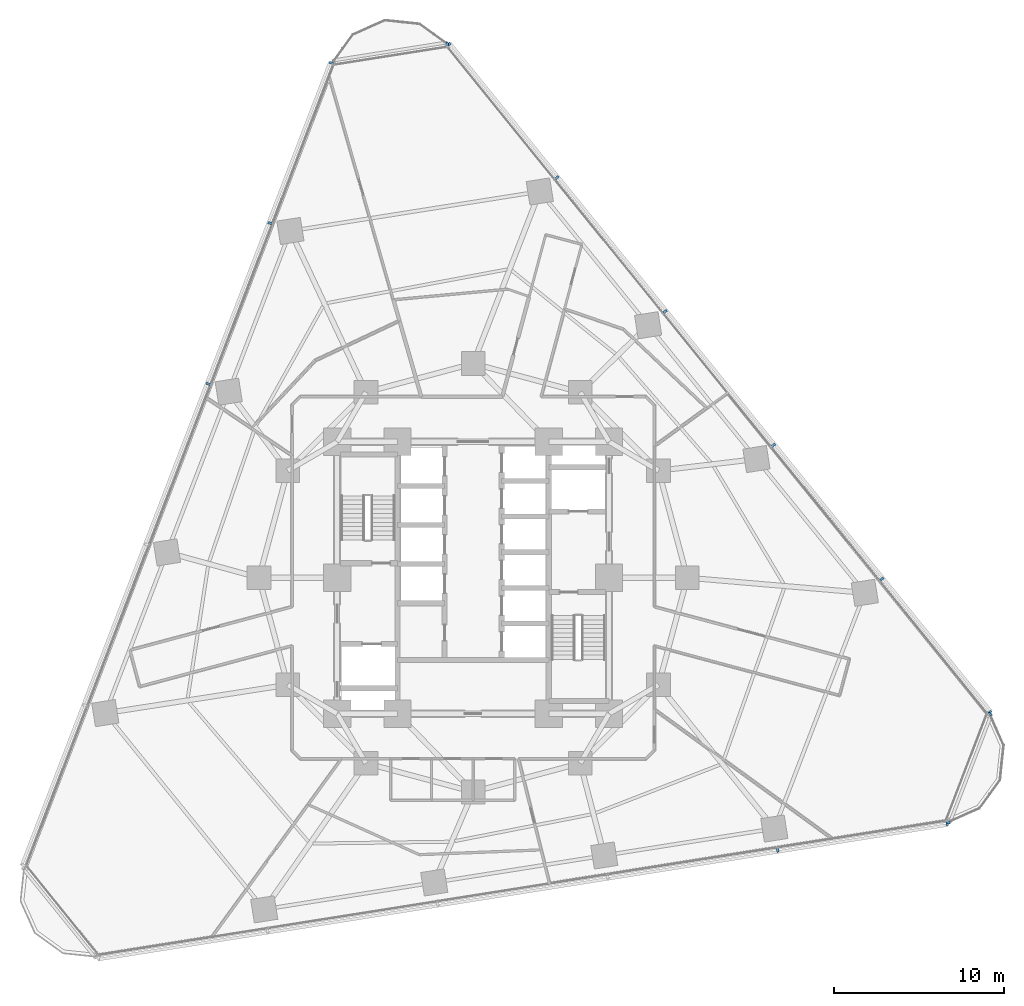
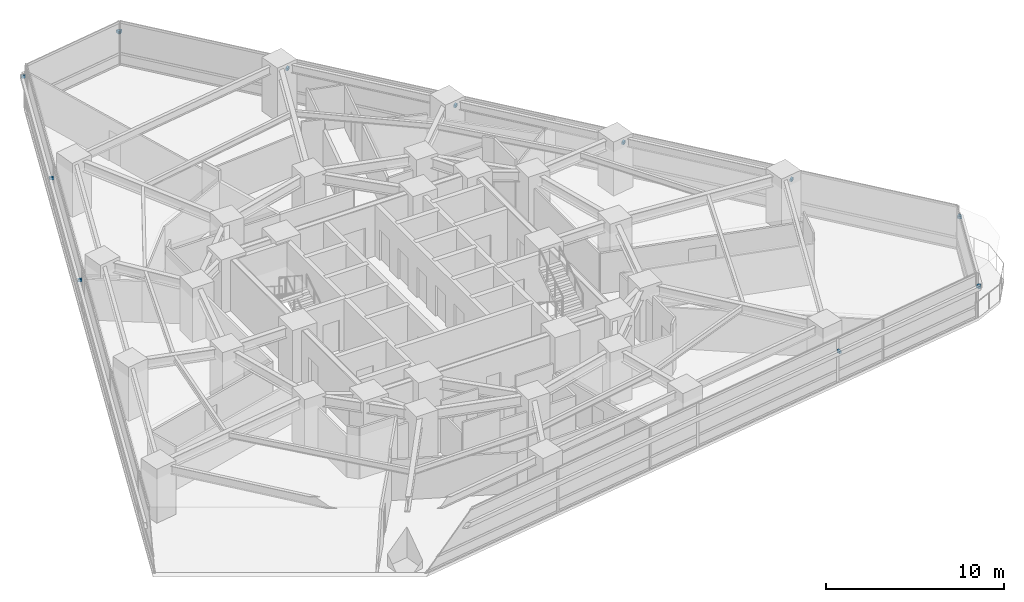
# One storey, part 10 of 13: 14 discrete accessories.
"""IFC4 building model written with IfcOpenShell, lengths in metres."""

import ifcopenshell
import ifcopenshell.guid

model = None  # the IFC model being written
_history = None  # IfcOwnerHistory: only IFC2X3 demands one
_inside = {}  # id of a spatial element -> (the spatial element, [elements in it])
_under = {}  # id of a project, library or spatial element -> (it, [spatial elements below it])
_declared = {}  # id of a project -> (the project, [libraries it declares])
_typed = {}  # id of a type object -> (the type object, [elements of that type])
_made_of = {}  # id of a material, layer set ... -> (it, [elements and type objects made of it])


def new_model(schema):
    """Start an empty IFC model of exactly this schema.

    Asked for "IFC4X3", IfcOpenShell would pick the latest addendum, in which some entities
    have other attributes; the version numbers below select the first issue.
    IFC2X3 requires an IfcOwnerHistory on every rooted entity: one is made here for all.
    """
    global model, _history
    if schema == "IFC4X3":
        model = ifcopenshell.file(schema_version=(4, 3, 0, 0))
    else:
        model = ifcopenshell.file(schema=schema)
    _inside.clear()
    _under.clear()
    _declared.clear()
    _typed.clear()
    _made_of.clear()
    _history = None
    if model.schema == "IFC2X3":
        org = make("IfcOrganization", Name="unknown")
        user = make(
            "IfcPersonAndOrganization",
            ThePerson=make("IfcPerson", FamilyName="unknown"),
            TheOrganization=org,
        )
        app = make(
            "IfcApplication",
            ApplicationDeveloper=org,
            Version="unknown",
            ApplicationFullName="unknown",
            ApplicationIdentifier="unknown",
        )
        _history = make(
            "IfcOwnerHistory",
            OwningUser=user,
            OwningApplication=app,
            ChangeAction="ADDED",
            CreationDate=0,
        )
    return model


def make(cls, **values):
    """One entity of the class cls with the attributes given. An attribute that is None is left unset."""
    return model.create_entity(
        cls, **{name: value for name, value in values.items() if value is not None}
    )


def rooted(cls, **values):
    """An entity with a GlobalId (a new one), such as an element, a storey or a relation."""
    return make(cls, GlobalId=ifcopenshell.guid.new(), OwnerHistory=_history, **values)


def si_unit(unit_type, name, prefix=None):
    """IfcSIUnit, for example si_unit("LENGTHUNIT", "METRE", prefix="MILLI")."""
    return make("IfcSIUnit", UnitType=unit_type, Prefix=prefix, Name=name)


def assignment(units):
    """IfcUnitAssignment: the units of a project."""
    return None if units is None else make("IfcUnitAssignment", Units=units)


def point(xyz):
    """IfcCartesianPoint."""
    return None if xyz is None else make("IfcCartesianPoint", Coordinates=xyz)


def direction(xyz):
    """IfcDirection."""
    return None if xyz is None else make("IfcDirection", DirectionRatios=xyz)


def frame(location, z_axis=None, x_axis=None):
    """IfcAxis2Placement3D, a coordinate frame: its origin and axes. An axis left out is left unset."""
    return make(
        "IfcAxis2Placement3D",
        Location=point(location),
        Axis=direction(z_axis),
        RefDirection=direction(x_axis),
    )


def frame_2d(location, x_axis=None):
    """IfcAxis2Placement2D, a coordinate frame in the plane: its origin and x axis."""
    return make(
        "IfcAxis2Placement2D", Location=point(location), RefDirection=direction(x_axis)
    )


def origin():
    """The frame at (0, 0, 0) with its axes left unset."""
    return frame((0.0, 0.0, 0.0))


def origin_2d():
    """The frame at (0, 0) in the plane with its x axis left unset."""
    return frame_2d((0.0, 0.0))


def place(relative_to, where):
    """IfcLocalPlacement: puts the frame where relative to a parent placement (None: the world)."""
    return make(
        "IfcLocalPlacement", PlacementRelTo=relative_to, RelativePlacement=where
    )


def context(
    kind, dimensions, precision=None, world=None, true_north=None, identifier=None
):
    """IfcGeometricRepresentationContext, for example the 3D "Model" context."""
    return make(
        "IfcGeometricRepresentationContext",
        ContextIdentifier=identifier,
        ContextType=kind,
        CoordinateSpaceDimension=dimensions,
        Precision=precision,
        WorldCoordinateSystem=world,
        TrueNorth=true_north,
    )


def subcontext(parent, identifier, kind, view, scale=None):
    """IfcGeometricRepresentationSubContext, for example "Body" below "Model"."""
    return make(
        "IfcGeometricRepresentationSubContext",
        ContextIdentifier=identifier,
        ContextType=kind,
        ParentContext=parent,
        TargetScale=scale,
        TargetView=view,
    )


def project(units=None, contexts=None):
    """IfcProject with its units and contexts."""
    return rooted(
        "IfcProject",
        Name="project",
        RepresentationContexts=contexts,
        UnitsInContext=assignment(units),
    )


def spatial(cls, under=None, at=None, **own):
    """A site, building, storey or space (cls), placed at a placement, below another one or the project."""
    s = rooted(cls, ObjectPlacement=at, **own)
    if under is not None:
        _under.setdefault(under.id(), (under, []))[1].append(s)
    return s


def profile(cls, at=None, kind="AREA", **sizes):
    """A parametric profile (cls). Its sizes go by their IFC names, for example OverallWidth=200.0."""
    return make(cls, ProfileType=kind, Position=at, **sizes)


def rectangle(**sizes):
    """IfcRectangleProfileDef."""
    return profile("IfcRectangleProfileDef", **sizes)


def extrude(swept, where, along, depth):
    """IfcExtrudedAreaSolid: the profile swept, set in the frame where, extruded along a direction by depth."""
    return make(
        "IfcExtrudedAreaSolid",
        SweptArea=swept,
        Position=where,
        ExtrudedDirection=direction(along),
        Depth=depth,
    )


def shape(context_of_items, identifier, shape_type, items):
    """IfcShapeRepresentation: the items that make up one representation, for example the "Body"."""
    return make(
        "IfcShapeRepresentation",
        ContextOfItems=context_of_items,
        RepresentationIdentifier=identifier,
        RepresentationType=shape_type,
        Items=items,
    )


def material(Name=None, Category=None):
    """IfcMaterial."""
    return make("IfcMaterial", Name=Name, Category=Category)


def made_of(thing, what):
    """Note that an element or type object is made of a material, layer set ...; save() writes the relation."""
    if what is not None:
        _made_of.setdefault(what.id(), (what, []))[1].append(thing)
    return thing


def type_object(cls, material=None, **own):
    """A type object (cls), such as IfcWallType, which elements share."""
    return made_of(rooted(cls, **own), material)


def element(
    cls,
    number,
    at=None,
    inside=None,
    cuts=None,
    type_object=None,
    material=None,
    context=None,
    identifier="Body",
    shape_type=None,
    held_by="IfcProductDefinitionShape",
    body=None,
    shapes=None,
    **own,
):
    """One element of the class cls, such as IfcWall. Its Tag is "e" and its number.

    at: its placement. inside: the storey or other place that contains it. cuts: it is an
    opening in that element (IfcRelVoidsElement). A single representation is given by context,
    identifier, shape_type and body (its items); several are given by shapes. held_by: the class
    of the entity that holds the representations. save() writes the other relations.
    """
    e = rooted(cls, Tag="e%d" % number, ObjectPlacement=at, **own)
    if body is not None:
        shapes = [shape(context, identifier, shape_type, body)]
    if shapes is not None:
        e.Representation = make(held_by, Representations=shapes)
    if inside is not None:
        _inside.setdefault(inside.id(), (inside, []))[1].append(e)
    if cuts is not None:
        rooted(
            "IfcRelVoidsElement", RelatingBuildingElement=cuts, RelatedOpeningElement=e
        )
    if type_object is not None:
        _typed.setdefault(type_object.id(), (type_object, []))[1].append(e)
    return made_of(e, material)


def aggregate(whole, parts):
    """IfcRelAggregates: a whole, such as a stair, and the parts it consists of."""
    return rooted("IfcRelAggregates", RelatingObject=whole, RelatedObjects=parts)


def save(model, path):
    """Write the relations noted so far, then the file.

    IfcRelAggregates (storeys below a building ...), IfcRelContainedInSpatialStructure (elements
    in a storey), IfcRelDefinesByType, IfcRelAssociatesMaterial and IfcRelDeclares: one each for
    every whole, place, type object, material and project.
    """
    for whole, parts in _under.values():
        aggregate(whole, parts)
    for where, things in _inside.values():
        rooted(
            "IfcRelContainedInSpatialStructure",
            RelatedElements=things,
            RelatingStructure=where,
        )
    for kind, things in _typed.values():
        rooted("IfcRelDefinesByType", RelatedObjects=things, RelatingType=kind)
    for what, things in _made_of.values():
        rooted("IfcRelAssociatesMaterial", RelatedObjects=things, RelatingMaterial=what)
    for by, libraries in _declared.values():
        rooted("IfcRelDeclares", RelatingContext=by, RelatedDefinitions=libraries)
    model.write(path)


model = new_model("IFC4")

# Units and contexts
model_context = context("Model", 3, precision=1e-05, world=origin(), true_north=direction((0.0, 1.0)))
body_context = subcontext(model_context, "Body", "Model", "MODEL_VIEW")
ifc_project = project(units=[si_unit("LENGTHUNIT", "METRE"), si_unit("AREAUNIT", "SQUARE_METRE"), si_unit("VOLUMEUNIT", "CUBIC_METRE"), si_unit("PLANEANGLEUNIT", "RADIAN"), si_unit("MASSUNIT", "GRAM", prefix="KILO")], contexts=[model_context])

# Site, building, storey
site_placement = place(None, origin())
site = spatial("IfcSite", under=ifc_project, at=site_placement, CompositionType="ELEMENT")
building_placement = place(site_placement, origin())
building = spatial("IfcBuilding", under=site, at=building_placement, Name="Terralouvre Media Tower", CompositionType="ELEMENT")
storey_placement = place(building_placement, frame((0.0, 0.0, 55.60009765625)))
storey = spatial("IfcBuildingStorey", under=building, at=storey_placement, Name="L13", CompositionType="ELEMENT", Elevation=55.60009765625)

# Discrete accessories
ifc_material = material(Name="Anodised extruded aluminium 6063-T6", Category="aluminium")
discrete_accessory_type = type_object("IfcDiscreteAccessoryType", Name="Mullion Stand-Off Baguette Fixing Bracket BK-01", PredefinedType="BRACKET", material=ifc_material)
for number, where, z_axis, x_axis, name in (
    (1, (17.920654296875, -16.032470703125, 2.07373046875), (0.0, 0.0, 1.0), (0.987688340934, 0.156434462903, 0.0), "CW-L13-F0 Baguette Outrigger Bracket 1.05"),
    (2, (27.886962890625, -14.4541015625, 2.07373046875), (0.0, 0.0, 1.0), (0.987688340934, 0.156434462903, 0.0), "CW-L13-F0 Baguette Outrigger Bracket 1.06"),
    (3, (30.395751953125, -7.918701171875, 2.07373046875), (0.0, 0.0, 1.0), (-0.629320350521, 0.777145994276, 0.0), "CW-L13-F1 Baguette Outrigger Bracket 1.01"),
    (4, (24.04541015625, -0.076904296875, 2.07373046875), (0.0, 0.0, 1.0), (-0.629320350521, 0.777145994276, 0.0), "CW-L13-F1 Baguette Outrigger Bracket 1.02"),
    (5, (17.671630859375, 7.794189453125, 2.07373046875), (0.0, 0.0, 1.0), (-0.629320350521, 0.777145994276, 0.0), "CW-L13-F1 Baguette Outrigger Bracket 1.03"),
    (6, (11.2978515625, 15.6650390625, 2.07373046875), (0.0, 0.0, 1.0), (-0.629320350521, 0.777145994276, 0.0), "CW-L13-F1 Baguette Outrigger Bracket 1.04"),
    (7, (4.92431640625, 23.535888671875, 2.07373046875), (0.0, 0.0, 1.0), (-0.629320350521, 0.777145994276, 0.0), "CW-L13-F1 Baguette Outrigger Bracket 1.05"),
    (8, (-1.426025390625, 31.377685546875, 2.07373046875), (0.0, 0.0, 1.0), (-0.629320350521, 0.777145994276, 0.0), "CW-L13-F1 Baguette Outrigger Bracket 1.06"),
    (9, (-8.340087890625, 30.28271484375, 2.07373046875), (0.0, 0.0, 1.0), (-0.358367917006, -0.933580438988, 0.0), "CW-L13-F2 Baguette Outrigger Bracket 1.01"),
    (10, (-11.956298828125, 20.8623046875, 2.07373046875), (0.0, 0.0, 1.0), (-0.358367917006, -0.933580438988, 0.0), "CW-L13-F2 Baguette Outrigger Bracket 1.02"),
    (11, (-15.585693359375, 11.406982421875, 2.07373046875), (0.0, 0.0, 1.0), (-0.358367917006, -0.933580438988, 0.0), "CW-L13-F2 Baguette Outrigger Bracket 1.03"),
    (12, (27.949951171875, -14.380859375, 2.07373046875), (0.0, 0.0, 1.0), (0.358367472863, 0.933580609478, 0.0), "CW-L13-C1 Baguette Outrigger Bracket 1.01"),
    (13, (30.393310546875, -8.01513671875, 2.07373046875), (0.0, 0.0, 1.0), (0.358367472863, 0.933580609478, 0.0), "CW-L13-C1 Baguette Outrigger Bracket 1.02"),
    (14, (-1.520751953125, 31.395751953125, 2.07373046875), (0.0, 0.0, 1.0), (-0.987688353034, -0.156434386502, 0.0), "CW-L13-C2 Baguette Outrigger Bracket 1.01"),
):
    element("IfcDiscreteAccessory", number, at=place(storey_placement, frame(where, z_axis=z_axis, x_axis=x_axis)), inside=storey, type_object=discrete_accessory_type, Name=name, PredefinedType="BRACKET", context=body_context, shape_type="SweptSolid", body=[
        extrude(rectangle(XDim=0.139892578125, YDim=0.239990234375, at=origin_2d()), origin(), (0.0, 0.0, 1.0), 0.179931640625),
    ])

save(model, "model.ifc")
